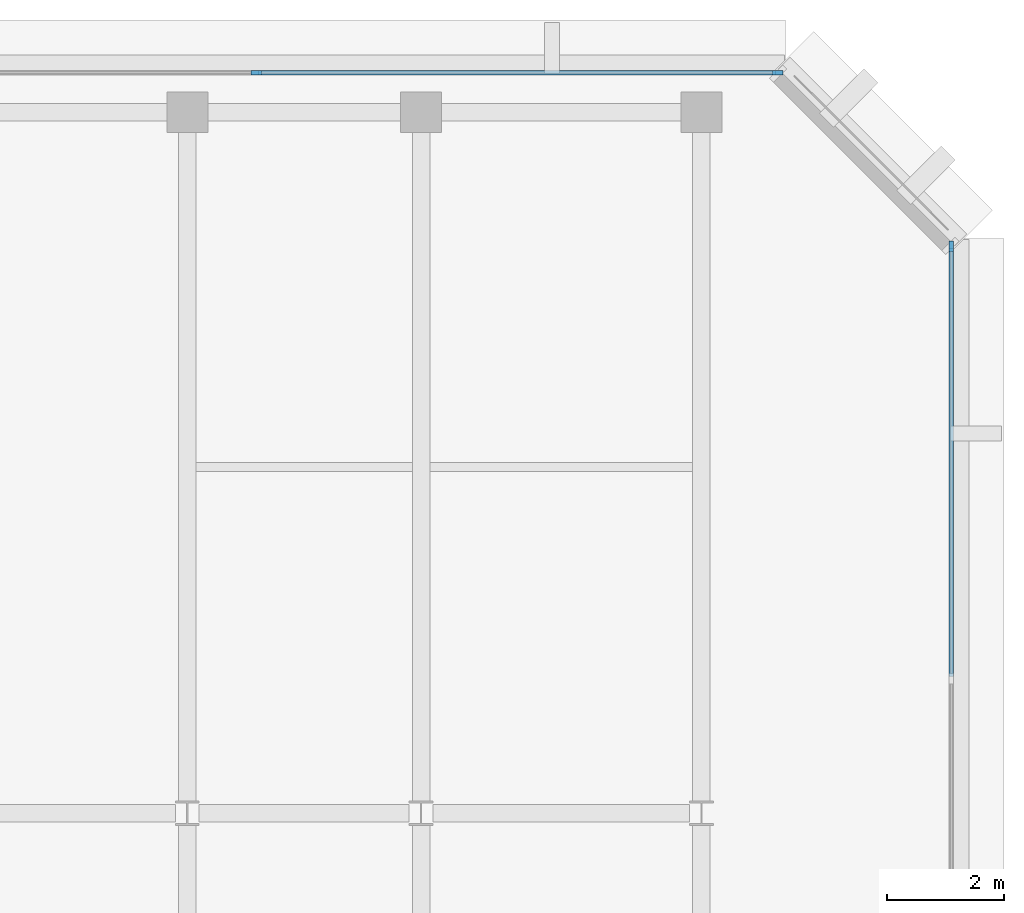
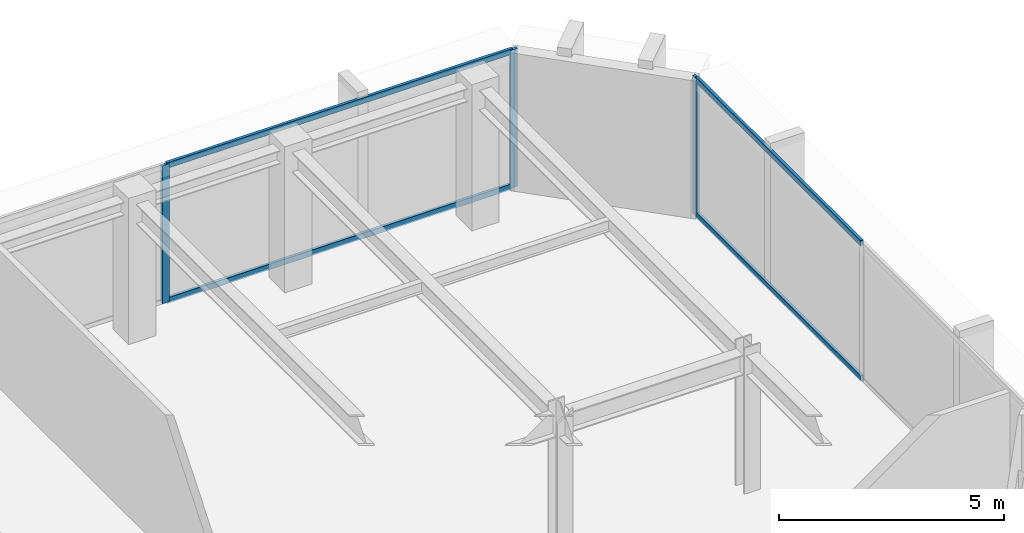
# One storey, part 5 of 11: 7 members, 2 elements without a shape of their own.
"""IFC4 building model written with IfcOpenShell, lengths in metres."""

from ifc_helpers import new_model, si_unit, direction, frame, origin, origin_2d, place, context, subcontext, project, spatial, rectangle, extrude, material, layer, layer_set, material_profile, profile_set, type_object, element, aggregate, save


model = new_model("IFC4")

# Units and contexts
model_context = context("Model", 3, precision=1e-05, world=origin(), true_north=direction((0.0, 1.0)))
body_context = subcontext(model_context, "Body", "Model", "MODEL_VIEW")
ifc_project = project(units=[si_unit("LENGTHUNIT", "METRE"), si_unit("AREAUNIT", "SQUARE_METRE"), si_unit("VOLUMEUNIT", "CUBIC_METRE"), si_unit("PLANEANGLEUNIT", "RADIAN"), si_unit("MASSUNIT", "GRAM", prefix="KILO")], contexts=[model_context])

# Site, building, storey
site_placement = place(None, origin())
site = spatial("IfcSite", under=ifc_project, at=site_placement, CompositionType="ELEMENT")
building_placement = place(site_placement, origin())
building = spatial("IfcBuilding", under=site, at=building_placement, Name="Kefirva Bronze Tower", CompositionType="ELEMENT")
storey_placement = place(building_placement, frame((0.0, 0.0, 323.72998046875)))
storey = spatial("IfcBuildingStorey", under=building, at=storey_placement, Name="L79", CompositionType="ELEMENT", Elevation=323.72998046875)

# Curtain wall, member
ifc_material = material(Name="Bronze anodised aluminium", Category="aluminium")
ifc_layer = layer(ifc_material, 0.179931640625, Name="Bronze anodised aluminium")
ifc_layer_set = layer_set([ifc_layer], Name="Bronze anodised aluminium")
curtain_wall_type = type_object("IfcCurtainWallType", Name="Unitised Bronze Ribbon Curtain Wall Zone 4", PredefinedType="USERDEFINED", material=ifc_layer_set)
curtain_wall_1_placement = place(storey_placement, origin())
curtain_wall_1 = element("IfcCurtainWall", 1, at=curtain_wall_1_placement, inside=storey, type_object=curtain_wall_type, Name="L79 Curtain Wall 3", ObjectType="UNITISED CURTAIN WALL", PredefinedType="USERDEFINED")
ifc_material_profile_1 = material_profile(ifc_material, rectangle(XDim=0.074951171875, YDim=0.179931640625, at=origin_2d()), Name="ALU 75x180")
ifc_profile_set_1 = profile_set([ifc_material_profile_1], Name="Bronze anodised aluminium")
member_type_1 = type_object("IfcMemberType", Name="Bronze Mullion 75x180", PredefinedType="MULLION", material=ifc_profile_set_1)
member_1_placement = place(storey_placement, frame((44.280029296875, 42.907470703125, 0.0), z_axis=(0.0, 0.0, 1.0), x_axis=(-1.0, 0.0, 0.0)))
member_1 = element("IfcMember", 2, at=member_1_placement, type_object=member_type_1, Name="CW-04 mullion 3", PredefinedType="MULLION", context=body_context, shape_type="SweptSolid", body=[
    extrude(rectangle(XDim=0.074951171875, YDim=0.179931640625, at=origin_2d()), origin(), (0.0, 0.0, 1.0), 3.739990234375),
])

# Curtain wall, members
curtain_wall_2_placement = place(storey_placement, origin())
curtain_wall_2 = element("IfcCurtainWall", 3, at=curtain_wall_2_placement, inside=storey, type_object=curtain_wall_type, Name="L79 Curtain Wall 4", ObjectType="UNITISED CURTAIN WALL", PredefinedType="USERDEFINED")
member_2_placement = place(storey_placement, frame((41.3076171875, 45.8798828125, 0.0), z_axis=(0.0, 0.0, 1.0), x_axis=(0.0, -1.0, 0.0)))
member_2 = element("IfcMember", 4, at=member_2_placement, type_object=member_type_1, Name="CW-04 mullion 1", PredefinedType="MULLION", context=body_context, shape_type="SweptSolid", body=[
    extrude(rectangle(XDim=0.074951171875, YDim=0.179931640625, at=origin_2d()), origin(), (0.0, 0.0, 1.0), 3.739990234375),
])
member_3_placement = place(storey_placement, frame((32.375, 45.8798828125, 0.0), z_axis=(0.0, 0.0, 1.0), x_axis=(0.0, -1.0, 0.0)))
member_3 = element("IfcMember", 5, at=member_3_placement, type_object=member_type_1, Name="CW-04 mullion 2", PredefinedType="MULLION", context=body_context, shape_type="SweptSolid", body=[
    extrude(rectangle(XDim=0.074951171875, YDim=0.179931640625, at=origin_2d()), origin(), (0.0, 0.0, 1.0), 3.739990234375),
])

# Member
ifc_material_profile_2 = material_profile(ifc_material, rectangle(XDim=0.074951171875, YDim=0.14990234375, at=origin_2d()), Name="ALU 75x150")
ifc_profile_set_2 = profile_set([ifc_material_profile_2], Name="Bronze anodised aluminium")
member_type_2 = type_object("IfcMemberType", Name="Bronze Transom 75x150", PredefinedType="USERDEFINED", material=ifc_profile_set_2)
member_4_placement = place(storey_placement, frame((44.280029296875, 35.53759765625, 0.03759765625), z_axis=(0.0, 1.0, 0.0), x_axis=(-1.0, 0.0, 0.0)))
member_4 = element("IfcMember", 6, at=member_4_placement, type_object=member_type_2, Name="CW-04 transom 2.1", ObjectType="TRANSOM", PredefinedType="USERDEFINED", context=body_context, shape_type="SweptSolid", body=[
    extrude(rectangle(XDim=0.074951171875, YDim=0.14990234375, at=origin_2d()), origin(), (0.0, 0.0, 1.0), 7.33251953125),
])

member_5_placement = place(storey_placement, frame((44.280029296875, 35.53759765625, 3.70263671875), z_axis=(0.0, 1.0, 0.0), x_axis=(-1.0, 0.0, 0.0)))
member_5 = element("IfcMember", 7, at=member_5_placement, type_object=member_type_2, Name="CW-04 transom 2.2", ObjectType="TRANSOM", PredefinedType="USERDEFINED", context=body_context, shape_type="SweptSolid", body=[
    extrude(rectangle(XDim=0.074951171875, YDim=0.14990234375, at=origin_2d()), origin(), (0.0, 0.0, 1.0), 7.33251953125),
])

aggregate(curtain_wall_1, [member_1, member_4, member_5])

member_6_placement = place(storey_placement, frame((41.27001953125, 45.8798828125, 0.03759765625), z_axis=(-1.0, 0.0, 0.0), x_axis=(0.0, -1.0, 0.0)))
member_6 = element("IfcMember", 8, at=member_6_placement, type_object=member_type_2, Name="CW-04 transom 1.1", ObjectType="TRANSOM", PredefinedType="USERDEFINED", context=body_context, shape_type="SweptSolid", body=[
    extrude(rectangle(XDim=0.074951171875, YDim=0.14990234375, at=origin_2d()), origin(), (0.0, 0.0, 1.0), 8.857421875),
])

member_7_placement = place(storey_placement, frame((41.27001953125, 45.8798828125, 3.70263671875), z_axis=(-1.0, 0.0, 0.0), x_axis=(0.0, -1.0, 0.0)))
member_7 = element("IfcMember", 9, at=member_7_placement, type_object=member_type_2, Name="CW-04 transom 1.2", ObjectType="TRANSOM", PredefinedType="USERDEFINED", context=body_context, shape_type="SweptSolid", body=[
    extrude(rectangle(XDim=0.074951171875, YDim=0.14990234375, at=origin_2d()), origin(), (0.0, 0.0, 1.0), 8.857421875),
])

aggregate(curtain_wall_2, [member_2, member_3, member_6, member_7])

save(model, "model.ifc")
